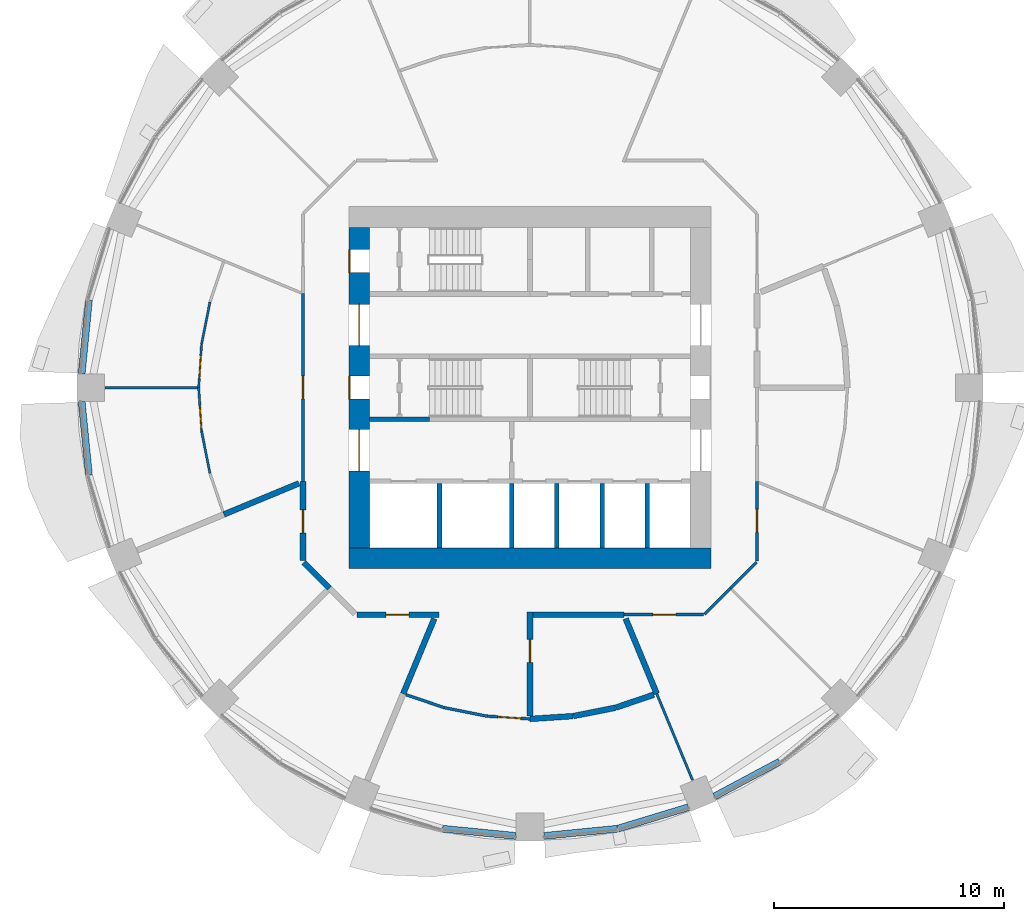
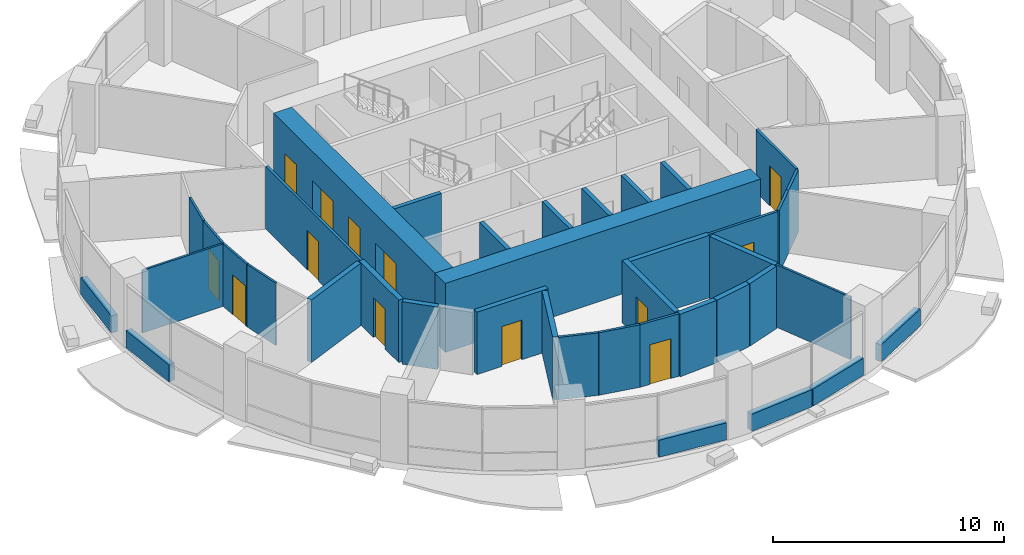
# One storey, part 8 of 15: 39 walls, 13 doors, 13 openings.
"""IFC4 building model written with IfcOpenShell, lengths in metres."""

import ifcopenshell
import ifcopenshell.guid

model = None  # the IFC model being written
_history = None  # IfcOwnerHistory: only IFC2X3 demands one
_inside = {}  # id of a spatial element -> (the spatial element, [elements in it])
_under = {}  # id of a project, library or spatial element -> (it, [spatial elements below it])
_declared = {}  # id of a project -> (the project, [libraries it declares])
_typed = {}  # id of a type object -> (the type object, [elements of that type])
_made_of = {}  # id of a material, layer set ... -> (it, [elements and type objects made of it])


def new_model(schema):
    """Start an empty IFC model of exactly this schema.

    Asked for "IFC4X3", IfcOpenShell would pick the latest addendum, in which some entities
    have other attributes; the version numbers below select the first issue.
    IFC2X3 requires an IfcOwnerHistory on every rooted entity: one is made here for all.
    """
    global model, _history
    if schema == "IFC4X3":
        model = ifcopenshell.file(schema_version=(4, 3, 0, 0))
    else:
        model = ifcopenshell.file(schema=schema)
    _inside.clear()
    _under.clear()
    _declared.clear()
    _typed.clear()
    _made_of.clear()
    _history = None
    if model.schema == "IFC2X3":
        org = make("IfcOrganization", Name="unknown")
        user = make(
            "IfcPersonAndOrganization",
            ThePerson=make("IfcPerson", FamilyName="unknown"),
            TheOrganization=org,
        )
        app = make(
            "IfcApplication",
            ApplicationDeveloper=org,
            Version="unknown",
            ApplicationFullName="unknown",
            ApplicationIdentifier="unknown",
        )
        _history = make(
            "IfcOwnerHistory",
            OwningUser=user,
            OwningApplication=app,
            ChangeAction="ADDED",
            CreationDate=0,
        )
    return model


def make(cls, **values):
    """One entity of the class cls with the attributes given. An attribute that is None is left unset."""
    return model.create_entity(
        cls, **{name: value for name, value in values.items() if value is not None}
    )


def rooted(cls, **values):
    """An entity with a GlobalId (a new one), such as an element, a storey or a relation."""
    return make(cls, GlobalId=ifcopenshell.guid.new(), OwnerHistory=_history, **values)


def si_unit(unit_type, name, prefix=None):
    """IfcSIUnit, for example si_unit("LENGTHUNIT", "METRE", prefix="MILLI")."""
    return make("IfcSIUnit", UnitType=unit_type, Prefix=prefix, Name=name)


def assignment(units):
    """IfcUnitAssignment: the units of a project."""
    return None if units is None else make("IfcUnitAssignment", Units=units)


def point(xyz):
    """IfcCartesianPoint."""
    return None if xyz is None else make("IfcCartesianPoint", Coordinates=xyz)


def direction(xyz):
    """IfcDirection."""
    return None if xyz is None else make("IfcDirection", DirectionRatios=xyz)


def frame(location, z_axis=None, x_axis=None):
    """IfcAxis2Placement3D, a coordinate frame: its origin and axes. An axis left out is left unset."""
    return make(
        "IfcAxis2Placement3D",
        Location=point(location),
        Axis=direction(z_axis),
        RefDirection=direction(x_axis),
    )


def frame_2d(location, x_axis=None):
    """IfcAxis2Placement2D, a coordinate frame in the plane: its origin and x axis."""
    return make(
        "IfcAxis2Placement2D", Location=point(location), RefDirection=direction(x_axis)
    )


def origin():
    """The frame at (0, 0, 0) with its axes left unset."""
    return frame((0.0, 0.0, 0.0))


def place(relative_to, where):
    """IfcLocalPlacement: puts the frame where relative to a parent placement (None: the world)."""
    return make(
        "IfcLocalPlacement", PlacementRelTo=relative_to, RelativePlacement=where
    )


def context(
    kind, dimensions, precision=None, world=None, true_north=None, identifier=None
):
    """IfcGeometricRepresentationContext, for example the 3D "Model" context."""
    return make(
        "IfcGeometricRepresentationContext",
        ContextIdentifier=identifier,
        ContextType=kind,
        CoordinateSpaceDimension=dimensions,
        Precision=precision,
        WorldCoordinateSystem=world,
        TrueNorth=true_north,
    )


def subcontext(parent, identifier, kind, view, scale=None):
    """IfcGeometricRepresentationSubContext, for example "Body" below "Model"."""
    return make(
        "IfcGeometricRepresentationSubContext",
        ContextIdentifier=identifier,
        ContextType=kind,
        ParentContext=parent,
        TargetScale=scale,
        TargetView=view,
    )


def project(units=None, contexts=None):
    """IfcProject with its units and contexts."""
    return rooted(
        "IfcProject",
        Name="project",
        RepresentationContexts=contexts,
        UnitsInContext=assignment(units),
    )


def spatial(cls, under=None, at=None, **own):
    """A site, building, storey or space (cls), placed at a placement, below another one or the project."""
    s = rooted(cls, ObjectPlacement=at, **own)
    if under is not None:
        _under.setdefault(under.id(), (under, []))[1].append(s)
    return s


def profile(cls, at=None, kind="AREA", **sizes):
    """A parametric profile (cls). Its sizes go by their IFC names, for example OverallWidth=200.0."""
    return make(cls, ProfileType=kind, Position=at, **sizes)


def rectangle(**sizes):
    """IfcRectangleProfileDef."""
    return profile("IfcRectangleProfileDef", **sizes)


def extrude(swept, where, along, depth):
    """IfcExtrudedAreaSolid: the profile swept, set in the frame where, extruded along a direction by depth."""
    return make(
        "IfcExtrudedAreaSolid",
        SweptArea=swept,
        Position=where,
        ExtrudedDirection=direction(along),
        Depth=depth,
    )


def shape(context_of_items, identifier, shape_type, items):
    """IfcShapeRepresentation: the items that make up one representation, for example the "Body"."""
    return make(
        "IfcShapeRepresentation",
        ContextOfItems=context_of_items,
        RepresentationIdentifier=identifier,
        RepresentationType=shape_type,
        Items=items,
    )


def material(Name=None, Category=None):
    """IfcMaterial."""
    return make("IfcMaterial", Name=Name, Category=Category)


def layer(
    of_material, thickness, ventilated=None, Name=None, Category=None, Priority=None
):
    """IfcMaterialLayer: one layer of a wall or slab, of a material (None: an air gap)."""
    return make(
        "IfcMaterialLayer",
        Material=of_material,
        LayerThickness=thickness,
        IsVentilated=ventilated,
        Name=Name,
        Category=Category,
        Priority=Priority,
    )


def layer_set(layers, Name=None):
    """IfcMaterialLayerSet."""
    return make("IfcMaterialLayerSet", MaterialLayers=layers, LayerSetName=Name)


def made_of(thing, what):
    """Note that an element or type object is made of a material, layer set ...; save() writes the relation."""
    if what is not None:
        _made_of.setdefault(what.id(), (what, []))[1].append(thing)
    return thing


def type_object(cls, material=None, **own):
    """A type object (cls), such as IfcWallType, which elements share."""
    return made_of(rooted(cls, **own), material)


def element(
    cls,
    number,
    at=None,
    inside=None,
    cuts=None,
    type_object=None,
    material=None,
    context=None,
    identifier="Body",
    shape_type=None,
    held_by="IfcProductDefinitionShape",
    body=None,
    shapes=None,
    **own,
):
    """One element of the class cls, such as IfcWall. Its Tag is "e" and its number.

    at: its placement. inside: the storey or other place that contains it. cuts: it is an
    opening in that element (IfcRelVoidsElement). A single representation is given by context,
    identifier, shape_type and body (its items); several are given by shapes. held_by: the class
    of the entity that holds the representations. save() writes the other relations.
    """
    e = rooted(cls, Tag="e%d" % number, ObjectPlacement=at, **own)
    if body is not None:
        shapes = [shape(context, identifier, shape_type, body)]
    if shapes is not None:
        e.Representation = make(held_by, Representations=shapes)
    if inside is not None:
        _inside.setdefault(inside.id(), (inside, []))[1].append(e)
    if cuts is not None:
        rooted(
            "IfcRelVoidsElement", RelatingBuildingElement=cuts, RelatedOpeningElement=e
        )
    if type_object is not None:
        _typed.setdefault(type_object.id(), (type_object, []))[1].append(e)
    return made_of(e, material)


def fill(opening, filler):
    """IfcRelFillsElement: the door or window that sits in an opening."""
    return rooted(
        "IfcRelFillsElement",
        RelatingOpeningElement=opening,
        RelatedBuildingElement=filler,
    )


def aggregate(whole, parts):
    """IfcRelAggregates: a whole, such as a stair, and the parts it consists of."""
    return rooted("IfcRelAggregates", RelatingObject=whole, RelatedObjects=parts)


def save(model, path):
    """Write the relations noted so far, then the file.

    IfcRelAggregates (storeys below a building ...), IfcRelContainedInSpatialStructure (elements
    in a storey), IfcRelDefinesByType, IfcRelAssociatesMaterial and IfcRelDeclares: one each for
    every whole, place, type object, material and project.
    """
    for whole, parts in _under.values():
        aggregate(whole, parts)
    for where, things in _inside.values():
        rooted(
            "IfcRelContainedInSpatialStructure",
            RelatedElements=things,
            RelatingStructure=where,
        )
    for kind, things in _typed.values():
        rooted("IfcRelDefinesByType", RelatedObjects=things, RelatingType=kind)
    for what, things in _made_of.values():
        rooted("IfcRelAssociatesMaterial", RelatedObjects=things, RelatingMaterial=what)
    for by, libraries in _declared.values():
        rooted("IfcRelDeclares", RelatingContext=by, RelatedDefinitions=libraries)
    model.write(path)


model = new_model("IFC4")

# Units and contexts
model_context = context("Model", 3, precision=1e-05, world=origin(), true_north=direction((0.0, 1.0)))
body_context = subcontext(model_context, "Body", "Model", "MODEL_VIEW")
ifc_project = project(units=[si_unit("LENGTHUNIT", "METRE"), si_unit("AREAUNIT", "SQUARE_METRE"), si_unit("VOLUMEUNIT", "CUBIC_METRE"), si_unit("PLANEANGLEUNIT", "RADIAN"), si_unit("MASSUNIT", "GRAM", prefix="KILO")], contexts=[model_context])

# Site, building, storey
site_placement = place(None, origin())
site = spatial("IfcSite", under=ifc_project, at=site_placement, CompositionType="ELEMENT")
building_placement = place(site_placement, origin())
building = spatial("IfcBuilding", under=site, at=building_placement, Name="Polderwave Tower", CompositionType="ELEMENT")
storey_placement = place(building_placement, frame((0.0, 0.0, 37.14990234375)))
storey = spatial("IfcBuildingStorey", under=building, at=storey_placement, Name="L09", CompositionType="ELEMENT", Elevation=37.14990234375)

# Wall
ifc_material_1 = material(Name="Concrete C80/95", Category="concrete")
ifc_layer_1 = layer(ifc_material_1, 0.89990234375)
ifc_layer_set_1 = layer_set([ifc_layer_1], Name="CORE WALL 900 C80/95")
wall_type_1 = type_object("IfcWallType", Name="CORE WALL 900 C80/95", PredefinedType="SHEAR", material=ifc_layer_set_1)
wall_1_placement = place(storey_placement, frame((-7.8740234375, -7.424072265625, 0.0), z_axis=(0.0, 0.0, 1.0), x_axis=(1.0, 0.0, 0.0)))
element("IfcWall", 1, at=wall_1_placement, inside=storey, type_object=wall_type_1, Name="ST-CORE-L09-S", PredefinedType="SHEAR", context=body_context, shape_type="SweptSolid", body=[
    extrude(rectangle(XDim=15.748046875, YDim=0.89990234375, at=frame_2d((7.8740234375, 0.0))), origin(), (0.0, 0.0, 1.0), 3.650146484375),
])

# Wall, openings, doors
wall_2_placement = place(storey_placement, frame((-7.424072265625, -6.97412109375, 0.0), z_axis=(0.0, 0.0, 1.0), x_axis=(0.0, 1.0, 0.0)))
wall_2 = element("IfcWall", 2, at=wall_2_placement, inside=storey, type_object=wall_type_1, Name="ST-CORE-L09-W", PredefinedType="SHEAR", context=body_context, shape_type="SweptSolid", body=[
    extrude(rectangle(XDim=13.9482421875, YDim=0.89990234375, at=frame_2d((6.97412109375, 0.0))), origin(), (0.0, 0.0, 1.0), 3.650146484375),
])
opening_1_placement = place(wall_2_placement, frame((6.47412109375, 0.0, 0.0)))
opening_1 = element("IfcOpeningElement", 3, at=opening_1_placement, cuts=wall_2, Name="Opening L09-D17", PredefinedType="OPENING", context=body_context, shape_type="SweptSolid", body=[
    extrude(rectangle(XDim=1.0, YDim=2.10009765625, at=frame_2d((0.5, 1.050048828125))), frame((0.0, 0.4599609375, 0.0), z_axis=(0.0, -1.0, 0.0), x_axis=(1.0, 0.0, 0.0)), (0.0, 0.0, 1.0), 0.919921875),
])
opening_2_placement = place(wall_2_placement, frame((3.349609375, 0.0, 0.0)))
opening_2 = element("IfcOpeningElement", 4, at=opening_2_placement, cuts=wall_2, Name="Opening L09-D18", PredefinedType="OPENING", context=body_context, shape_type="SweptSolid", body=[
    extrude(rectangle(XDim=1.800048828125, YDim=2.10009765625, at=frame_2d((0.89990234375, 1.050048828125))), frame((0.0, 0.4599609375, 0.0), z_axis=(0.0, -1.0, 0.0), x_axis=(1.0, 0.0, 0.0)), (0.0, 0.0, 1.0), 0.919921875),
])
opening_3_placement = place(wall_2_placement, frame((8.798583984375, 0.0, 0.0)))
opening_3 = element("IfcOpeningElement", 5, at=opening_3_placement, cuts=wall_2, Name="Opening L09-D19", PredefinedType="OPENING", context=body_context, shape_type="SweptSolid", body=[
    extrude(rectangle(XDim=1.800048828125, YDim=2.10009765625, at=frame_2d((0.89990234375, 1.050048828125))), frame((0.0, 0.4599609375, 0.0), z_axis=(0.0, -1.0, 0.0), x_axis=(1.0, 0.0, 0.0)), (0.0, 0.0, 1.0), 0.919921875),
])
opening_4_placement = place(wall_2_placement, frame((11.97412109375, 0.0, 0.0)))
opening_4 = element("IfcOpeningElement", 6, at=opening_4_placement, cuts=wall_2, Name="Opening L09-D20", PredefinedType="OPENING", context=body_context, shape_type="SweptSolid", body=[
    extrude(rectangle(XDim=1.0, YDim=2.10009765625, at=frame_2d((0.5, 1.050048828125))), frame((0.0, 0.4599609375, 0.0), z_axis=(0.0, -1.0, 0.0), x_axis=(1.0, 0.0, 0.0)), (0.0, 0.0, 1.0), 0.919921875),
])
ifc_material_2 = material(Name="Steel fire door", Category="steel")
door_type_1 = type_object("IfcDoorType", Name="Lobby entry door pair 1800", OperationType="DOUBLE_DOOR_SINGLE_SWING", PredefinedType="DOOR", material=ifc_material_2)
door_1_placement = place(opening_2_placement, origin())
door_1 = element("IfcDoor", 7, at=door_1_placement, inside=storey, type_object=door_type_1, Name="Fire-fighting lobby entry door", OperationType="DOUBLE_DOOR_SINGLE_SWING", OverallHeight=2.10009765625, OverallWidth=1.800048828125, PredefinedType="DOOR", context=body_context, shape_type="SweptSolid", body=[
    extrude(rectangle(XDim=1.800048828125, YDim=2.10009765625, at=frame_2d((0.89990234375, 1.050048828125))), frame((0.0, 0.02490234375, 0.0), z_axis=(0.0, -1.0, 0.0), x_axis=(1.0, 0.0, 0.0)), (0.0, 0.0, 1.0), 0.050048828125),
])
fill(opening_2, door_1)
door_2_placement = place(opening_3_placement, origin())
door_2 = element("IfcDoor", 8, at=door_2_placement, inside=storey, type_object=door_type_1, Name="North lobby entry door", OperationType="DOUBLE_DOOR_SINGLE_SWING", OverallHeight=2.10009765625, OverallWidth=1.800048828125, PredefinedType="DOOR", context=body_context, shape_type="SweptSolid", body=[
    extrude(rectangle(XDim=1.800048828125, YDim=2.10009765625, at=frame_2d((0.89990234375, 1.050048828125))), frame((0.0, 0.02490234375, 0.0), z_axis=(0.0, -1.0, 0.0), x_axis=(1.0, 0.0, 0.0)), (0.0, 0.0, 1.0), 0.050048828125),
])
fill(opening_3, door_2)
door_type_2 = type_object("IfcDoorType", Name="Stair door 1000", OperationType="NOTDEFINED", PredefinedType="DOOR", material=ifc_material_2)
door_3_placement = place(opening_1_placement, origin())
door_3 = element("IfcDoor", 9, at=door_3_placement, inside=storey, type_object=door_type_2, Name="Stair A entry door", OperationType="SINGLE_SWING_RIGHT", OverallHeight=2.10009765625, OverallWidth=1.0, PredefinedType="DOOR", context=body_context, shape_type="SweptSolid", body=[
    extrude(rectangle(XDim=1.0, YDim=2.10009765625, at=frame_2d((0.5, 1.050048828125))), frame((0.0, 0.4501953125, 0.0), z_axis=(0.0, -1.0, 0.0), x_axis=(1.0, 0.0, 0.0)), (0.0, 0.0, 1.0), 0.050048828125),
])
fill(opening_1, door_3)
door_4_placement = place(opening_4_placement, origin())
door_4 = element("IfcDoor", 10, at=door_4_placement, inside=storey, type_object=door_type_2, Name="Stair C entry door", OperationType="SINGLE_SWING_RIGHT", OverallHeight=2.10009765625, OverallWidth=1.0, PredefinedType="DOOR", context=body_context, shape_type="SweptSolid", body=[
    extrude(rectangle(XDim=1.0, YDim=2.10009765625, at=frame_2d((0.5, 1.050048828125))), frame((0.0, 0.4501953125, 0.0), z_axis=(0.0, -1.0, 0.0), x_axis=(1.0, 0.0, 0.0)), (0.0, 0.0, 1.0), 0.050048828125),
])
fill(opening_4, door_4)

# Walls
ifc_material_3 = material(Name="Concrete C50/60 (board-marked)", Category="concrete")
ifc_layer_2 = layer(ifc_material_3, 0.300048828125)
ifc_layer_set_2 = layer_set([ifc_layer_2], Name="Concrete spandrel upstand C50/60")
wall_type_2 = type_object("IfcWallType", Name="Concrete spandrel upstand C50/60", PredefinedType="SOLIDWALL", material=ifc_layer_set_2)
for number, where, z_axis, x_axis, name in (
    (11, (-19.185546875, 3.801025390625, 0.0), (0.0, 0.0, 1.0), (-0.098002102993, -0.995186207606, 0.0), "Spandrel L09 8b"),
    (12, (-19.49951171875, -0.61279296875, 0.0), (0.0, 0.0, 1.0), (0.098002102993, -0.995186207606, 0.0), "Spandrel L09 9a"),
    (13, (-3.801025390625, -19.185546875, 0.0), (0.0, 0.0, 1.0), (0.995186207606, -0.098002102993, 0.0), "Spandrel L09 12b"),
    (14, (0.61279296875, -19.49951171875, 0.0), (0.0, 0.0, 1.0), (0.995186207606, 0.098002102993, 0.0), "Spandrel L09 13a"),
):
    element("IfcWall", number, at=place(storey_placement, frame(where, z_axis=z_axis, x_axis=x_axis)), inside=storey, type_object=wall_type_2, Name=name, PredefinedType="SOLIDWALL", context=body_context, shape_type="SweptSolid", body=[
        extrude(rectangle(XDim=3.20361328125, YDim=0.300048828125, at=frame_2d((1.601806640625, 0.0))), origin(), (0.0, 0.0, 1.0), 0.900146484375),
    ])
wall_3_placement = place(storey_placement, frame((3.830322265625, -19.1796875, 0.0), z_axis=(0.0, 0.0, 1.0), x_axis=(0.956883225512, 0.290472877795, 0.0)))
element("IfcWall", 15, at=wall_3_placement, inside=storey, type_object=wall_type_2, Name="Spandrel L09 13b", PredefinedType="SOLIDWALL", context=body_context, shape_type="SweptSolid", body=[
    extrude(rectangle(XDim=3.202392578125, YDim=0.300048828125, at=frame_2d((1.60107421875, 0.0))), origin(), (0.0, 0.0, 1.0), 0.900146484375),
])
wall_4_placement = place(storey_placement, frame((8.0283203125, -17.77978515625, 0.0), z_axis=(0.0, 0.0, 1.0), x_axis=(0.881981372243, 0.471284265614, 0.0)))
element("IfcWall", 16, at=wall_4_placement, inside=storey, type_object=wall_type_2, Name="Spandrel L09 14a", PredefinedType="SOLIDWALL", context=body_context, shape_type="SweptSolid", body=[
    extrude(rectangle(XDim=3.20361328125, YDim=0.300048828125, at=frame_2d((1.601806640625, 0.0))), origin(), (0.0, 0.0, 1.0), 0.900146484375),
])
ifc_material_4 = material(Name="Concrete C50/60", Category="concrete")
ifc_layer_3 = layer(ifc_material_4, 0.199951171875)
ifc_layer_set_3 = layer_set([ifc_layer_3], Name="Core web wall 200")
wall_type_3 = type_object("IfcWallType", Name="Core web wall 200", PredefinedType="SHEAR", material=ifc_layer_set_3)
wall_5_placement = place(storey_placement, frame((-6.97412109375, -1.375, 0.0), z_axis=(0.0, 0.0, 1.0), x_axis=(1.0, 0.0, 0.0)))
element("IfcWall", 17, at=wall_5_placement, inside=storey, type_object=wall_type_3, Name="L09 south stair wall 1", PredefinedType="SHEAR", context=body_context, shape_type="SweptSolid", body=[
    extrude(rectangle(XDim=2.60009765625, YDim=0.199951171875, at=frame_2d((1.300048828125, 0.0))), origin(), (0.0, 0.0, 1.0), 3.300048828125),
])
ifc_material_5 = material(Name="Fire-resisting board on steel studs", Category="steel")
ifc_layer_4 = layer(ifc_material_5, 0.125)
ifc_layer_set_4 = layer_set([ifc_layer_4], Name="Corridor wall 125 mm EI 60")
wall_type_4 = type_object("IfcWallType", Name="Corridor wall 125 mm EI 60", PredefinedType="PARTITIONING", material=ifc_layer_set_4)
wall_6_placement = place(storey_placement, frame((9.855712890625, -7.58935546875, 0.0), z_axis=(0.0, 0.0, 1.0), x_axis=(-0.70718294931, -0.707030604857, 0.0)))
element("IfcWall", 18, at=wall_6_placement, inside=storey, type_object=wall_type_4, Name="IN-L09-W004", PredefinedType="PARTITIONING", context=body_context, shape_type="SweptSolid", body=[
    extrude(rectangle(XDim=1.6025390625, YDim=0.125, at=frame_2d((0.80126953125, 0.0))), origin(), (0.0, 0.0, 1.0), 3.300048828125),
])

# Wall, opening, door
wall_7_placement = place(storey_placement, frame((9.8740234375, -4.08984375, 0.0), z_axis=(0.0, 0.0, 1.0), x_axis=(0.0, -1.0, 0.0)))
wall_7 = element("IfcWall", 19, at=wall_7_placement, inside=storey, type_object=wall_type_4, Name="IN-L09-W005", PredefinedType="PARTITIONING", context=body_context, shape_type="SweptSolid", body=[
    extrude(rectangle(XDim=3.455322265625, YDim=0.125, at=frame_2d((1.7275390625, 0.0))), origin(), (0.0, 0.0, 1.0), 3.300048828125),
])
opening_5_placement = place(wall_7_placement, frame((1.199951171875, 0.0, 0.0)))
opening_5 = element("IfcOpeningElement", 20, at=opening_5_placement, cuts=wall_7, Name="Opening L09-D52", PredefinedType="OPENING", context=body_context, shape_type="SweptSolid", body=[
    extrude(rectangle(XDim=1.0, YDim=2.10009765625, at=frame_2d((0.5, 1.050048828125))), frame((0.0, 0.072509765625, 0.0), z_axis=(0.0, -1.0, 0.0), x_axis=(1.0, 0.0, 0.0)), (0.0, 0.0, 1.0), 0.14501953125),
])
ifc_material_6 = material(Name="Timber fire door leaf", Category="wood")
door_type_3 = type_object("IfcDoorType", Name="Fire door FD30S 1000 x 2100", OperationType="NOTDEFINED", PredefinedType="DOOR", material=ifc_material_6)
door_5_placement = place(opening_5_placement, origin())
door_5 = element("IfcDoor", 21, at=door_5_placement, inside=storey, type_object=door_type_3, Name="Door L09-D52", OperationType="SINGLE_SWING_LEFT", OverallHeight=2.10009765625, OverallWidth=1.0, PredefinedType="DOOR", context=body_context, shape_type="SweptSolid", body=[
    extrude(rectangle(XDim=1.0, YDim=2.10009765625, at=frame_2d((0.5, 1.050048828125))), frame((0.0, 0.02490234375, 0.0), z_axis=(0.0, -1.0, 0.0), x_axis=(1.0, 0.0, 0.0)), (0.0, 0.0, 1.0), 0.050048828125),
])
fill(opening_5, door_5)

wall_8_placement = place(storey_placement, frame((-9.8740234375, -4.08984375, 0.0), z_axis=(0.0, 0.0, 1.0), x_axis=(0.0, 1.0, 0.0)))
wall_8 = element("IfcWall", 22, at=wall_8_placement, inside=storey, type_object=wall_type_4, Name="IN-L09-W013", PredefinedType="PARTITIONING", context=body_context, shape_type="SweptSolid", body=[
    extrude(rectangle(XDim=8.1796875, YDim=0.125, at=frame_2d((4.08984375, 0.0))), origin(), (0.0, 0.0, 1.0), 3.300048828125),
])
opening_6_placement = place(wall_8_placement, frame((3.60009765625, 0.0, 0.0)))
opening_6 = element("IfcOpeningElement", 23, at=opening_6_placement, cuts=wall_8, Name="Opening L09-D56", PredefinedType="OPENING", context=body_context, shape_type="SweptSolid", body=[
    extrude(rectangle(XDim=1.0, YDim=2.10009765625, at=frame_2d((0.5, 1.050048828125))), frame((0.0, 0.072509765625, 0.0), z_axis=(0.0, -1.0, 0.0), x_axis=(1.0, 0.0, 0.0)), (0.0, 0.0, 1.0), 0.14501953125),
])
door_6_placement = place(opening_6_placement, origin())
door_6 = element("IfcDoor", 24, at=door_6_placement, inside=storey, type_object=door_type_3, Name="Door L09-D56", OperationType="SINGLE_SWING_RIGHT", OverallHeight=2.10009765625, OverallWidth=1.0, PredefinedType="DOOR", context=body_context, shape_type="SweptSolid", body=[
    extrude(rectangle(XDim=1.0, YDim=2.10009765625, at=frame_2d((0.5, 1.050048828125))), frame((0.0, 0.02490234375, 0.0), z_axis=(0.0, -1.0, 0.0), x_axis=(1.0, 0.0, 0.0)), (0.0, 0.0, 1.0), 0.050048828125),
])
fill(opening_6, door_6)

wall_9_placement = place(storey_placement, frame((7.545166015625, -9.8740234375, 0.0), z_axis=(0.0, 0.0, 1.0), x_axis=(-1.0, 0.0, 0.0)))
wall_9 = element("IfcWall", 25, at=wall_9_placement, inside=storey, type_object=wall_type_4, Name="IN-L09-W019", PredefinedType="PARTITIONING", context=body_context, shape_type="SweptSolid", body=[
    extrude(rectangle(XDim=3.455322265625, YDim=0.125, at=frame_2d((1.7275390625, 0.0))), origin(), (0.0, 0.0, 1.0), 3.300048828125),
])
opening_7_placement = place(wall_9_placement, frame((1.199951171875, 0.0, 0.0)))
opening_7 = element("IfcOpeningElement", 26, at=opening_7_placement, cuts=wall_9, Name="Opening L09-D59", PredefinedType="OPENING", context=body_context, shape_type="SweptSolid", body=[
    extrude(rectangle(XDim=1.0, YDim=2.10009765625, at=frame_2d((0.5, 1.050048828125))), frame((0.0, 0.072509765625, 0.0), z_axis=(0.0, -1.0, 0.0), x_axis=(1.0, 0.0, 0.0)), (0.0, 0.0, 1.0), 0.14501953125),
])
door_7_placement = place(opening_7_placement, origin())
door_7 = element("IfcDoor", 27, at=door_7_placement, inside=storey, type_object=door_type_3, Name="Door L09-D59", OperationType="SINGLE_SWING_LEFT", OverallHeight=2.10009765625, OverallWidth=1.0, PredefinedType="DOOR", context=body_context, shape_type="SweptSolid", body=[
    extrude(rectangle(XDim=1.0, YDim=2.10009765625, at=frame_2d((0.5, 1.050048828125))), frame((0.0, 0.02490234375, 0.0), z_axis=(0.0, -1.0, 0.0), x_axis=(1.0, 0.0, 0.0)), (0.0, 0.0, 1.0), 0.050048828125),
])
fill(opening_7, door_7)

# Walls
wall_10_placement = place(storey_placement, frame((8.722412109375, -8.722412109375, 0.0), z_axis=(0.0, 0.0, 1.0), x_axis=(-0.707030604857, -0.70718294931, 0.0)))
element("IfcWall", 28, at=wall_10_placement, inside=storey, type_object=wall_type_4, Name="IN-L09-W020", PredefinedType="PARTITIONING", context=body_context, shape_type="SweptSolid", body=[
    extrude(rectangle(XDim=1.6025390625, YDim=0.125, at=frame_2d((0.80126953125, 0.0))), origin(), (0.0, 0.0, 1.0), 3.300048828125),
])
wall_11_placement = place(storey_placement, frame((-3.7333984375, -13.917724609375, 0.0), z_axis=(0.0, 0.0, 1.0), x_axis=(-0.946926428718, 0.321450367234, 0.0)))
element("IfcWall", 29, at=wall_11_placement, inside=storey, type_object=wall_type_4, Name="IN-L09-W057", PredefinedType="PARTITIONING", context=body_context, shape_type="SweptSolid", body=[
    extrude(rectangle(XDim=1.75146484375, YDim=0.125, at=frame_2d((0.875732421875, 0.0))), origin(), (0.0, 0.0, 1.0), 3.300048828125),
])
wall_12_placement = place(storey_placement, frame((-1.885009765625, -14.285888671875, 0.0), z_axis=(0.0, 0.0, 1.0), x_axis=(-0.980800221705, 0.19501519198, 0.0)))
element("IfcWall", 30, at=wall_12_placement, inside=storey, type_object=wall_type_4, Name="IN-L09-W058", PredefinedType="PARTITIONING", context=body_context, shape_type="SweptSolid", body=[
    extrude(rectangle(XDim=1.876708984375, YDim=0.125, at=frame_2d((0.9384765625, 0.0))), origin(), (0.0, 0.0, 1.0), 3.300048828125),
])

# Wall, opening, door
wall_13_placement = place(storey_placement, frame((0.0, -14.409912109375, 0.0), z_axis=(0.0, 0.0, 1.0), x_axis=(-0.997865971163, 0.065295509756, 0.0)))
wall_13 = element("IfcWall", 31, at=wall_13_placement, inside=storey, type_object=wall_type_4, Name="IN-L09-W059", PredefinedType="PARTITIONING", context=body_context, shape_type="SweptSolid", body=[
    extrude(rectangle(XDim=1.880615234375, YDim=0.125, at=frame_2d((0.9404296875, 0.0))), origin(), (0.0, 0.0, 1.0), 3.300048828125),
])
opening_8_placement = place(wall_13_placement, frame((0.39990234375, 0.0, 0.0)))
opening_8 = element("IfcOpeningElement", 32, at=opening_8_placement, cuts=wall_13, Name="Opening L09-D65", PredefinedType="OPENING", context=body_context, shape_type="SweptSolid", body=[
    extrude(rectangle(XDim=1.0, YDim=2.10009765625, at=frame_2d((0.5, 1.050048828125))), frame((0.0, 0.072509765625, 0.0), z_axis=(0.0, -1.0, 0.0), x_axis=(1.0, 0.0, 0.0)), (0.0, 0.0, 1.0), 0.14501953125),
])
door_8_placement = place(opening_8_placement, origin())
door_8 = element("IfcDoor", 33, at=door_8_placement, inside=storey, type_object=door_type_3, Name="Door L09-D65", OperationType="SINGLE_SWING_LEFT", OverallHeight=2.10009765625, OverallWidth=1.0, PredefinedType="DOOR", context=body_context, shape_type="SweptSolid", body=[
    extrude(rectangle(XDim=1.0, YDim=2.10009765625, at=frame_2d((0.5, 1.050048828125))), frame((0.0, 0.02490234375, 0.0), z_axis=(0.0, -1.0, 0.0), x_axis=(1.0, 0.0, 0.0)), (0.0, 0.0, 1.0), 0.050048828125),
])
fill(opening_8, door_8)

ifc_material_7 = material(Name="Plasterboard on steel studs", Category="steel")
ifc_layer_5 = layer(ifc_material_7, 0.10009765625)
ifc_layer_set_5 = layer_set([ifc_layer_5], Name="Partition 100 mm plasterboard on steel studs")
wall_type_5 = type_object("IfcWallType", Name="Partition 100 mm plasterboard on steel studs", PredefinedType="PARTITIONING", material=ifc_layer_set_5)
wall_14_placement = place(storey_placement, frame((-14.409912109375, 0.0, 0.0), z_axis=(0.0, 0.0, 1.0), x_axis=(0.065390885675, 0.997859725648, 0.0)))
wall_14 = element("IfcWall", 34, at=wall_14_placement, inside=storey, type_object=wall_type_5, Name="IN-L09-W045", PredefinedType="PARTITIONING", context=body_context, shape_type="SweptSolid", body=[
    extrude(rectangle(XDim=1.881591796875, YDim=0.10009765625, at=frame_2d((0.94091796875, 0.0))), origin(), (0.0, 0.0, 1.0), 3.300048828125),
])
opening_9_placement = place(wall_14_placement, frame((0.39990234375, 0.0, 0.0)))
opening_9 = element("IfcOpeningElement", 35, at=opening_9_placement, cuts=wall_14, Name="Opening L09-D63", PredefinedType="OPENING", context=body_context, shape_type="SweptSolid", body=[
    extrude(rectangle(XDim=1.0, YDim=2.10009765625, at=frame_2d((0.5, 1.050048828125))), frame((0.0, 0.06005859375, 0.0), z_axis=(0.0, -1.0, 0.0), x_axis=(1.0, 0.0, 0.0)), (0.0, 0.0, 1.0), 0.1201171875),
])
ifc_material_8 = material(Name="Timber veneer door leaf", Category="wood")
door_type_4 = type_object("IfcDoorType", Name="Single door 1000 x 2100", OperationType="NOTDEFINED", PredefinedType="DOOR", material=ifc_material_8)
door_9_placement = place(opening_9_placement, origin())
door_9 = element("IfcDoor", 36, at=door_9_placement, inside=storey, type_object=door_type_4, Name="Door L09-D63", OperationType="SINGLE_SWING_LEFT", OverallHeight=2.10009765625, OverallWidth=1.0, PredefinedType="DOOR", context=body_context, shape_type="SweptSolid", body=[
    extrude(rectangle(XDim=1.0, YDim=2.10009765625, at=frame_2d((0.5, 1.050048828125))), frame((0.0, 0.02490234375, 0.0), z_axis=(0.0, -1.0, 0.0), x_axis=(1.0, 0.0, 0.0)), (0.0, 0.0, 1.0), 0.050048828125),
])
fill(opening_9, door_9)

# Walls
wall_15_placement = place(storey_placement, frame((-13.919677734375, 3.726318359375, 0.0), z_axis=(0.0, 0.0, 1.0), x_axis=(-0.195091231684, -0.980785099459, 0.0)))
element("IfcWall", 37, at=wall_15_placement, inside=storey, type_object=wall_type_5, Name="IN-L09-W046", PredefinedType="PARTITIONING", context=body_context, shape_type="SweptSolid", body=[
    extrude(rectangle(XDim=1.87841796875, YDim=0.10009765625, at=frame_2d((0.939208984375, 0.0))), origin(), (0.0, 0.0, 1.0), 3.300048828125),
])
wall_16_placement = place(storey_placement, frame((-14.46337890625, 0.0, 0.0), z_axis=(0.0, 0.0, 1.0), x_axis=(-1.0, 0.0, 0.0)))
element("IfcWall", 38, at=wall_16_placement, inside=storey, type_object=wall_type_5, Name="IN-L09-W048", PredefinedType="PARTITIONING", context=body_context, shape_type="SweptSolid", body=[
    extrude(rectangle(XDim=4.0166015625, YDim=0.10009765625, at=frame_2d((2.00830078125, 0.0))), origin(), (0.0, 0.0, 1.0), 3.300048828125),
])

# Wall, opening, door
wall_17_placement = place(storey_placement, frame((-14.286865234375, -1.877685546875, 0.0), z_axis=(0.0, 0.0, 1.0), x_axis=(-0.065390885675, 0.997859725648, 0.0)))
wall_17 = element("IfcWall", 39, at=wall_17_placement, inside=storey, type_object=wall_type_5, Name="IN-L09-W049", PredefinedType="PARTITIONING", context=body_context, shape_type="SweptSolid", body=[
    extrude(rectangle(XDim=1.881591796875, YDim=0.10009765625, at=frame_2d((0.94091796875, 0.0))), origin(), (0.0, 0.0, 1.0), 3.300048828125),
])
opening_10_placement = place(wall_17_placement, frame((0.10009765625, 0.0, 0.0)))
opening_10 = element("IfcOpeningElement", 40, at=opening_10_placement, cuts=wall_17, Name="Opening L09-D64", PredefinedType="OPENING", context=body_context, shape_type="SweptSolid", body=[
    extrude(rectangle(XDim=1.0, YDim=2.10009765625, at=frame_2d((0.5, 1.050048828125))), frame((0.0, 0.06005859375, 0.0), z_axis=(0.0, -1.0, 0.0), x_axis=(1.0, 0.0, 0.0)), (0.0, 0.0, 1.0), 0.1201171875),
])
door_10_placement = place(opening_10_placement, origin())
door_10 = element("IfcDoor", 41, at=door_10_placement, inside=storey, type_object=door_type_4, Name="Door L09-D64", OperationType="SINGLE_SWING_LEFT", OverallHeight=2.10009765625, OverallWidth=1.0, PredefinedType="DOOR", context=body_context, shape_type="SweptSolid", body=[
    extrude(rectangle(XDim=1.0, YDim=2.10009765625, at=frame_2d((0.5, 1.050048828125))), frame((0.0, 0.02490234375, 0.0), z_axis=(0.0, -1.0, 0.0), x_axis=(1.0, 0.0, 0.0)), (0.0, 0.0, 1.0), 0.050048828125),
])
fill(opening_10, door_10)

# Walls
wall_18_placement = place(storey_placement, frame((-13.919677734375, -3.726318359375, 0.0), z_axis=(0.0, 0.0, 1.0), x_axis=(-0.195091231684, 0.980785099459, 0.0)))
element("IfcWall", 42, at=wall_18_placement, inside=storey, type_object=wall_type_5, Name="IN-L09-W050", PredefinedType="PARTITIONING", context=body_context, shape_type="SweptSolid", body=[
    extrude(rectangle(XDim=1.87841796875, YDim=0.10009765625, at=frame_2d((0.939208984375, 0.0))), origin(), (0.0, 0.0, 1.0), 3.300048828125),
])
ifc_material_9 = material(Name="Moisture-resistant board on steel studs, tiled", Category="steel")
ifc_layer_6 = layer(ifc_material_9, 0.10498046875)
ifc_layer_set_6 = layer_set([ifc_layer_6], Name="Partition 105 mm wet room board and tile")
wall_type_6 = type_object("IfcWallType", Name="Partition 105 mm wet room board and tile", PredefinedType="PARTITIONING", material=ifc_layer_set_6)
wall_19_placement = place(storey_placement, frame((5.514404296875, -13.31298828125, 0.0), z_axis=(0.0, 0.0, 1.0), x_axis=(0.382697907061, -0.923873536763, 0.0)))
element("IfcWall", 43, at=wall_19_placement, inside=storey, type_object=wall_type_6, Name="IN-L09-W064", PredefinedType="PARTITIONING", context=body_context, shape_type="SweptSolid", body=[
    extrude(rectangle(XDim=4.070068359375, YDim=0.10498046875, at=frame_2d((2.03515625, 0.0))), origin(), (0.0, 0.0, 1.0), 3.300048828125),
])

# Wall, opening, door
ifc_material_10 = material(Name="Fire-resisting board on steel studs, mineral wool", Category="steel")
ifc_layer_7 = layer(ifc_material_10, 0.25)
ifc_layer_set_7 = layer_set([ifc_layer_7], Name="Plant room wall 250 mm EI 120")
wall_type_7 = type_object("IfcWallType", Name="Plant room wall 250 mm EI 120", PredefinedType="PARTITIONING", material=ifc_layer_set_7)
wall_20_placement = place(storey_placement, frame((-9.8740234375, -7.519287109375, 0.0), z_axis=(0.0, 0.0, 1.0), x_axis=(0.0, 1.0, 0.0)))
wall_20 = element("IfcWall", 44, at=wall_20_placement, inside=storey, type_object=wall_type_7, Name="IN-L09-W014", PredefinedType="PARTITIONING", context=body_context, shape_type="SweptSolid", body=[
    extrude(rectangle(XDim=3.429443359375, YDim=0.25, at=frame_2d((1.71484375, 0.0))), origin(), (0.0, 0.0, 1.0), 3.300048828125),
])
opening_11_placement = place(wall_20_placement, frame((1.199951171875, 0.0, 0.0)))
opening_11 = element("IfcOpeningElement", 45, at=opening_11_placement, cuts=wall_20, Name="Opening L09-D57", PredefinedType="OPENING", context=body_context, shape_type="SweptSolid", body=[
    extrude(rectangle(XDim=1.0, YDim=2.10009765625, at=frame_2d((0.5, 1.050048828125))), frame((0.0, 0.135009765625, 0.0), z_axis=(0.0, -1.0, 0.0), x_axis=(1.0, 0.0, 0.0)), (0.0, 0.0, 1.0), 0.27001953125),
])
ifc_material_11 = material(Name="Steel plant door leaf", Category="steel")
door_type_5 = type_object("IfcDoorType", Name="Plant door FD60 1000 x 2100 steel", OperationType="NOTDEFINED", PredefinedType="DOOR", material=ifc_material_11)
door_11_placement = place(opening_11_placement, origin())
door_11 = element("IfcDoor", 46, at=door_11_placement, inside=storey, type_object=door_type_5, Name="Door L09-D57", OperationType="SINGLE_SWING_LEFT", OverallHeight=2.10009765625, OverallWidth=1.0, PredefinedType="DOOR", context=body_context, shape_type="SweptSolid", body=[
    extrude(rectangle(XDim=1.0, YDim=2.10009765625, at=frame_2d((0.5, 1.050048828125))), frame((0.0, 0.02490234375, 0.0), z_axis=(0.0, -1.0, 0.0), x_axis=(1.0, 0.0, 0.0)), (0.0, 0.0, 1.0), 0.050048828125),
])
fill(opening_11, door_11)

# Wall
wall_21_placement = place(storey_placement, frame((-8.722412109375, -8.722412109375, 0.0), z_axis=(0.0, 0.0, 1.0), x_axis=(-0.707184200224, 0.707029353672, 0.0)))
element("IfcWall", 47, at=wall_21_placement, inside=storey, type_object=wall_type_7, Name="IN-L09-W015", PredefinedType="PARTITIONING", context=body_context, shape_type="SweptSolid", body=[
    extrude(rectangle(XDim=1.57666015625, YDim=0.25, at=frame_2d((0.788330078125, 0.0))), origin(), (0.0, 0.0, 1.0), 3.300048828125),
])

# Wall, opening, door
wall_22_placement = place(storey_placement, frame((-3.96484375, -9.8740234375, 0.0), z_axis=(0.0, 0.0, 1.0), x_axis=(-1.0, 0.0, 0.0)))
wall_22 = element("IfcWall", 48, at=wall_22_placement, inside=storey, type_object=wall_type_7, Name="IN-L09-W017", PredefinedType="PARTITIONING", context=body_context, shape_type="SweptSolid", body=[
    extrude(rectangle(XDim=3.554443359375, YDim=0.25, at=frame_2d((1.77734375, 0.0))), origin(), (0.0, 0.0, 1.0), 3.300048828125),
])
opening_12_placement = place(wall_22_placement, frame((1.300048828125, 0.0, 0.0)))
opening_12 = element("IfcOpeningElement", 49, at=opening_12_placement, cuts=wall_22, Name="Opening L09-D58", PredefinedType="OPENING", context=body_context, shape_type="SweptSolid", body=[
    extrude(rectangle(XDim=1.0, YDim=2.10009765625, at=frame_2d((0.5, 1.050048828125))), frame((0.0, 0.135009765625, 0.0), z_axis=(0.0, -1.0, 0.0), x_axis=(1.0, 0.0, 0.0)), (0.0, 0.0, 1.0), 0.27001953125),
])
door_12_placement = place(opening_12_placement, origin())
door_12 = element("IfcDoor", 50, at=door_12_placement, inside=storey, type_object=door_type_5, Name="Door L09-D58", OperationType="SINGLE_SWING_RIGHT", OverallHeight=2.10009765625, OverallWidth=1.0, PredefinedType="DOOR", context=body_context, shape_type="SweptSolid", body=[
    extrude(rectangle(XDim=1.0, YDim=2.10009765625, at=frame_2d((0.5, 1.050048828125))), frame((0.0, 0.02490234375, 0.0), z_axis=(0.0, -1.0, 0.0), x_axis=(1.0, 0.0, 0.0)), (0.0, 0.0, 1.0), 0.050048828125),
])
fill(opening_12, door_12)

# Walls
wall_23_placement = place(storey_placement, frame((4.08984375, -9.8740234375, 0.0), z_axis=(0.0, 0.0, 1.0), x_axis=(-1.0, 0.0, 0.0)))
element("IfcWall", 51, at=wall_23_placement, inside=storey, type_object=wall_type_7, Name="IN-L09-W018", PredefinedType="PARTITIONING", context=body_context, shape_type="SweptSolid", body=[
    extrude(rectangle(XDim=3.96484375, YDim=0.25, at=frame_2d((1.982421875, 0.0))), origin(), (0.0, 0.0, 1.0), 3.300048828125),
])
for number, where, z_axis, x_axis, name in (
    (52, (-10.046875, -4.16162109375, 0.0), (0.0, 0.0, 1.0), (-0.92388805455, -0.382662857696, 0.0), "IN-L09-W052"),
    (53, (-4.16162109375, -10.046875, 0.0), (0.0, 0.0, 1.0), (-0.382662857696, -0.92388805455, 0.0), "IN-L09-W055"),
):
    element("IfcWall", number, at=place(storey_placement, frame(where, z_axis=z_axis, x_axis=x_axis)), inside=storey, type_object=wall_type_7, Name=name, PredefinedType="PARTITIONING", context=body_context, shape_type="SweptSolid", body=[
        extrude(rectangle(XDim=3.53515625, YDim=0.25, at=frame_2d((1.767578125, 0.0))), origin(), (0.0, 0.0, 1.0), 3.300048828125),
    ])

# Wall, opening, door
wall_24_placement = place(storey_placement, frame((0.0, -9.7490234375, 0.0), z_axis=(0.0, 0.0, 1.0), x_axis=(0.0, -1.0, 0.0)))
wall_24 = element("IfcWall", 54, at=wall_24_placement, inside=storey, type_object=wall_type_7, Name="IN-L09-W060", PredefinedType="PARTITIONING", context=body_context, shape_type="SweptSolid", body=[
    extrude(rectangle(XDim=4.527587890625, YDim=0.25, at=frame_2d((2.263671875, 0.0))), origin(), (0.0, 0.0, 1.0), 3.300048828125),
])
opening_13_placement = place(wall_24_placement, frame((1.199951171875, 0.0, 0.0)))
opening_13 = element("IfcOpeningElement", 55, at=opening_13_placement, cuts=wall_24, Name="Opening L09-D66", PredefinedType="OPENING", context=body_context, shape_type="SweptSolid", body=[
    extrude(rectangle(XDim=1.0, YDim=2.10009765625, at=frame_2d((0.5, 1.050048828125))), frame((0.0, 0.135009765625, 0.0), z_axis=(0.0, -1.0, 0.0), x_axis=(1.0, 0.0, 0.0)), (0.0, 0.0, 1.0), 0.27001953125),
])
door_13_placement = place(opening_13_placement, origin())
door_13 = element("IfcDoor", 56, at=door_13_placement, inside=storey, type_object=door_type_5, Name="Door L09-D66", OperationType="SINGLE_SWING_LEFT", OverallHeight=2.10009765625, OverallWidth=1.0, PredefinedType="DOOR", context=body_context, shape_type="SweptSolid", body=[
    extrude(rectangle(XDim=1.0, YDim=2.10009765625, at=frame_2d((0.5, 1.050048828125))), frame((0.0, 0.02490234375, 0.0), z_axis=(0.0, -1.0, 0.0), x_axis=(1.0, 0.0, 0.0)), (0.0, 0.0, 1.0), 0.050048828125),
])
fill(opening_13, door_13)

# Walls
wall_25_placement = place(storey_placement, frame((0.0, -14.409912109375, 0.0), z_axis=(0.0, 0.0, 1.0), x_axis=(0.997857088285, 0.065431119203, 0.0)))
element("IfcWall", 57, at=wall_25_placement, inside=storey, type_object=wall_type_7, Name="IN-L09-W061", PredefinedType="PARTITIONING", context=body_context, shape_type="SweptSolid", body=[
    extrude(rectangle(XDim=1.876708984375, YDim=0.25, at=frame_2d((0.9384765625, 0.0))), origin(), (0.0, 0.0, 1.0), 3.300048828125),
])
wall_26_placement = place(storey_placement, frame((1.888916015625, -14.28515625, 0.0), z_axis=(0.0, 0.0, 1.0), x_axis=(0.980791158232, 0.195060769847, 0.0)))
element("IfcWall", 58, at=wall_26_placement, inside=storey, type_object=wall_type_7, Name="IN-L09-W062", PredefinedType="PARTITIONING", context=body_context, shape_type="SweptSolid", body=[
    extrude(rectangle(XDim=1.86865234375, YDim=0.25, at=frame_2d((0.934326171875, 0.0))), origin(), (0.0, 0.0, 1.0), 3.300048828125),
])
wall_27_placement = place(storey_placement, frame((3.7373046875, -13.91650390625, 0.0), z_axis=(0.0, 0.0, 1.0), x_axis=(0.946889634804, 0.321558734138, 0.0)))
element("IfcWall", 59, at=wall_27_placement, inside=storey, type_object=wall_type_7, Name="IN-L09-W063", PredefinedType="PARTITIONING", context=body_context, shape_type="SweptSolid", body=[
    extrude(rectangle(XDim=1.7431640625, YDim=0.25, at=frame_2d((0.87158203125, 0.0))), origin(), (0.0, 0.0, 1.0), 3.300048828125),
])
wall_28_placement = place(storey_placement, frame((4.16162109375, -10.046875, 0.0), z_axis=(0.0, 0.0, 1.0), x_axis=(0.382662857696, -0.92388805455, 0.0)))
element("IfcWall", 60, at=wall_28_placement, inside=storey, type_object=wall_type_7, Name="IN-L09-W065", PredefinedType="PARTITIONING", context=body_context, shape_type="SweptSolid", body=[
    extrude(rectangle(XDim=3.53515625, YDim=0.25, at=frame_2d((1.767578125, 0.0))), origin(), (0.0, 0.0, 1.0), 3.300048828125),
])
ifc_material_12 = material(Name="Gypsum shaft wall system")
ifc_layer_8 = layer(ifc_material_12, 0.199951171875)
ifc_layer_set_8 = layer_set([ifc_layer_8], Name="Shaft wall 200")
wall_type_8 = type_object("IfcWallType", Name="Shaft wall 200", PredefinedType="PARTITIONING", material=ifc_layer_set_8)
for number, where, z_axis, x_axis, name in (
    (61, (-3.93701171875, -6.97412109375, 0.0), (0.0, 0.0, 1.0), (0.0, 1.0, 0.0), "L09 fire-fighting shaft wall 1"),
    (62, (-0.800048828125, -6.97412109375, 0.0), (0.0, 0.0, 1.0), (0.0, 1.0, 0.0), "L09 fire-fighting shaft wall 2"),
    (63, (1.16845703125, -6.97412109375, 0.0), (0.0, 0.0, 1.0), (0.0, 1.0, 0.0), "L09 lift shaft wall 1"),
    (64, (3.136962890625, -6.97412109375, 0.0), (0.0, 0.0, 1.0), (0.0, 1.0, 0.0), "L09 lift shaft wall 2"),
    (65, (5.10546875, -6.97412109375, 0.0), (0.0, 0.0, 1.0), (0.0, 1.0, 0.0), "L09 lift shaft wall 3"),
):
    element("IfcWall", number, at=place(storey_placement, frame(where, z_axis=z_axis, x_axis=x_axis)), inside=storey, type_object=wall_type_8, Name=name, PredefinedType="PARTITIONING", context=body_context, shape_type="SweptSolid", body=[
        extrude(rectangle(XDim=2.800048828125, YDim=0.199951171875, at=frame_2d((1.39990234375, 0.0))), origin(), (0.0, 0.0, 1.0), 3.300048828125),
    ])

save(model, "model.ifc")
